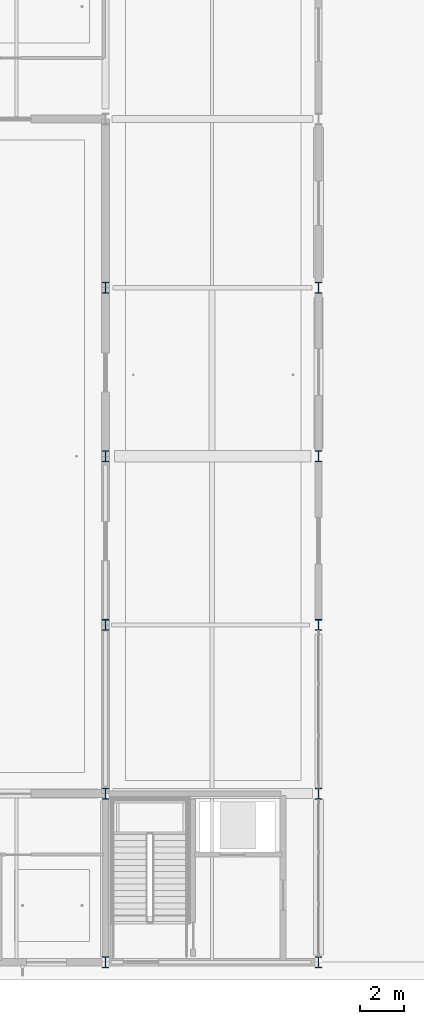
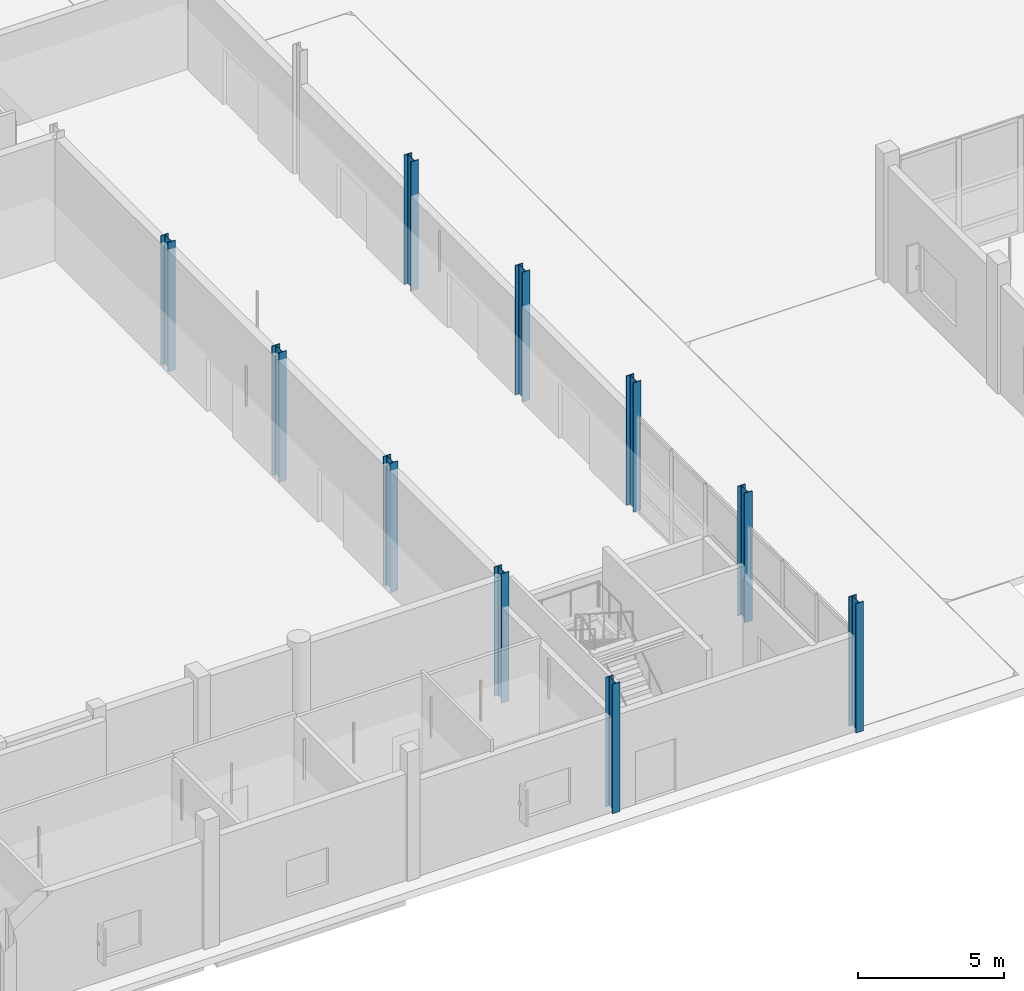
# One storey, part 2 of 126: 10 columns.
"""IFC4 building model written with IfcOpenShell, lengths in metres."""

from ifc_helpers import new_model, si_unit, direction, frame, origin, origin_2d, place, context, subcontext, project, spatial, i_section, extrude, material, material_profile, profile_set, type_object, element, save


model = new_model("IFC4")

# Units and contexts
model_context = context("Model", 3, precision=1e-05, world=origin(), true_north=direction((0.0, 1.0)))
body_context = subcontext(model_context, "Body", "Model", "MODEL_VIEW")
ifc_project = project(units=[si_unit("LENGTHUNIT", "METRE"), si_unit("AREAUNIT", "SQUARE_METRE"), si_unit("VOLUMEUNIT", "CUBIC_METRE"), si_unit("PLANEANGLEUNIT", "RADIAN"), si_unit("MASSUNIT", "GRAM", prefix="KILO")], contexts=[model_context])

# Site, building, storey
site_placement = place(None, origin())
site = spatial("IfcSite", under=ifc_project, at=site_placement, CompositionType="ELEMENT")
building_placement = place(site_placement, origin())
building = spatial("IfcBuilding", under=site, at=building_placement, Name="Khelvaren Railside Concert Hall", CompositionType="ELEMENT")
storey_placement = place(building_placement, origin())
storey = spatial("IfcBuildingStorey", under=building, at=storey_placement, Name="L00", CompositionType="ELEMENT", Elevation=0.0)

# Columns
ifc_material = material(Name="Steel S355", Category="steel")
ifc_material_profile_1 = material_profile(ifc_material, i_section(OverallWidth=0.300048828125, OverallDepth=0.5, WebThickness=0.014404296875, FlangeThickness=0.028076171875, FilletRadius=0.027099609375, at=origin_2d()), Name="HEB 500")
ifc_profile_set_1 = profile_set([ifc_material_profile_1], Name="Steel S355")
column_type_1 = type_object("IfcColumnType", Name="COL15", PredefinedType="COLUMN", material=ifc_profile_set_1)
for number, where, z_axis, x_axis, name in (
    (1, (40.0, 0.0, 0.0), (0.0, 0.0, 1.0), (1.0, 0.0, 0.0), "V1 L00 Column (40.0,0.0)"),
    (2, (49.60009765625, 0.0, 0.0), (0.0, 0.0, 1.0), (1.0, 0.0, 0.0), "V1 L00 Column (49.6,0.0)"),
    (3, (49.60009765625, 7.60009765625, 0.0), (0.0, 0.0, 1.0), (1.0, 0.0, 0.0), "V1 L00 Column (49.6,7.6)"),
    (4, (49.60009765625, 15.199951171875, 0.0), (0.0, 0.0, 1.0), (1.0, 0.0, 0.0), "V1 L00 Column (49.6,15.2)"),
    (5, (49.60009765625, 22.800048828125, 0.0), (0.0, 0.0, 1.0), (1.0, 0.0, 0.0), "V1 L00 Column (49.6,22.8)"),
    (6, (49.60009765625, 30.39990234375, 0.0), (0.0, 0.0, 1.0), (1.0, 0.0, 0.0), "V1 L00 Column (49.6,30.4)"),
):
    element("IfcColumn", number, at=place(storey_placement, frame(where, z_axis=z_axis, x_axis=x_axis)), inside=storey, type_object=column_type_1, Name=name, PredefinedType="COLUMN", context=body_context, shape_type="SweptSolid", body=[
        extrude(i_section(OverallWidth=0.300048828125, OverallDepth=0.5, WebThickness=0.014404296875, FlangeThickness=0.028076171875, FilletRadius=0.027099609375, at=origin_2d()), origin(), (0.0, 0.0, 1.0), 5.39990234375),
    ])
ifc_material_profile_2 = material_profile(ifc_material, i_section(OverallWidth=0.300048828125, OverallDepth=0.5, WebThickness=0.014404296875, FlangeThickness=0.028076171875, FilletRadius=0.027099609375, at=origin_2d()), Name="HEB 500")
ifc_profile_set_2 = profile_set([ifc_material_profile_2], Name="Steel S355")
column_type_2 = type_object("IfcColumnType", Name="COL25", PredefinedType="COLUMN", material=ifc_profile_set_2)
for number, where, z_axis, x_axis, name in (
    (7, (40.0, 7.60009765625, 0.0), (0.0, 0.0, 1.0), (1.0, 0.0, 0.0), "V1 L00 Column (40.0,7.6)"),
    (8, (40.0, 15.199951171875, 0.0), (0.0, 0.0, 1.0), (1.0, 0.0, 0.0), "V1 L00 Column (40.0,15.2)"),
    (9, (40.0, 22.800048828125, 0.0), (0.0, 0.0, 1.0), (1.0, 0.0, 0.0), "V1 L00 Column (40.0,22.8)"),
    (10, (40.0, 30.39990234375, 0.0), (0.0, 0.0, 1.0), (1.0, 0.0, 0.0), "V1 L00 Column (40.0,30.4)"),
):
    element("IfcColumn", number, at=place(storey_placement, frame(where, z_axis=z_axis, x_axis=x_axis)), inside=storey, type_object=column_type_2, Name=name, PredefinedType="COLUMN", context=body_context, shape_type="SweptSolid", body=[
        extrude(i_section(OverallWidth=0.300048828125, OverallDepth=0.5, WebThickness=0.014404296875, FlangeThickness=0.028076171875, FilletRadius=0.027099609375, at=origin_2d()), origin(), (0.0, 0.0, 1.0), 5.39990234375),
    ])

save(model, "model.ifc")
